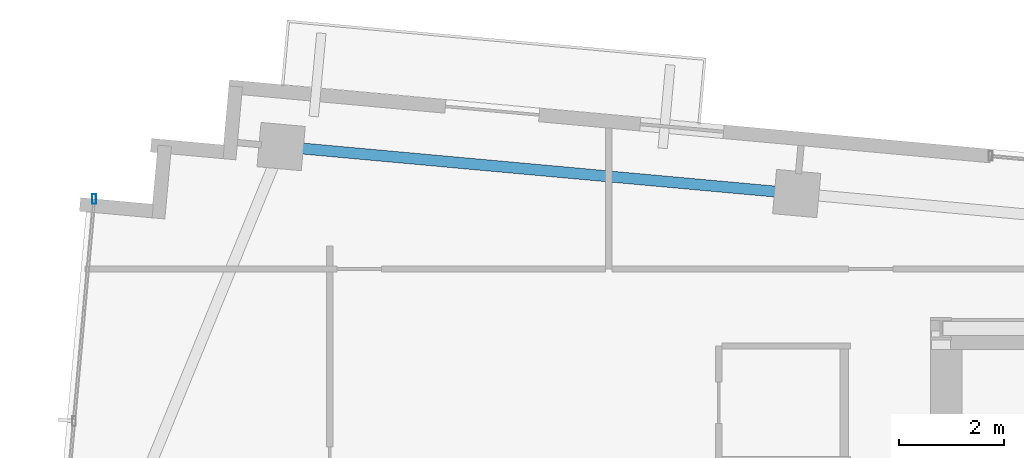
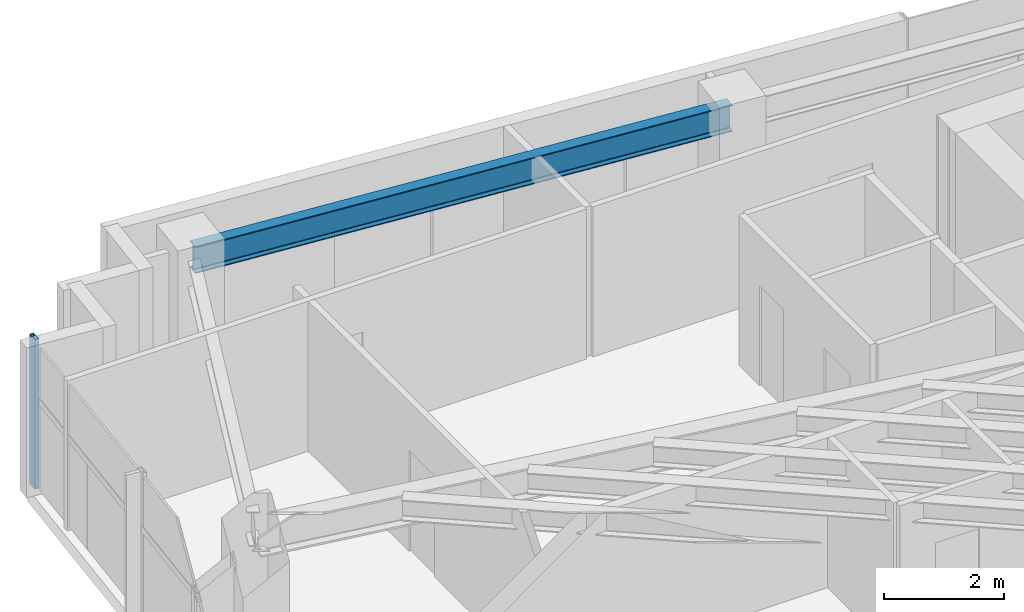
# One storey, part 9 of 22: 1 beam, 1 member, 1 element without a shape of its own.
"""IFC4 building model written with IfcOpenShell, lengths in metres."""

from ifc_helpers import new_model, si_unit, direction, frame, origin, origin_2d, place, context, subcontext, project, spatial, hollow_rectangle, i_section, extrude, source, transform, mapped, material, material_profile, profile_set, type_object, type_shapes, element, aggregate, save


model = new_model("IFC4")

# Units and contexts
model_context = context("Model", 3, precision=1e-05, world=origin(), true_north=direction((0.0, 1.0)))
body_context = subcontext(model_context, "Body", "Model", "MODEL_VIEW")
ifc_project = project(units=[si_unit("LENGTHUNIT", "METRE"), si_unit("AREAUNIT", "SQUARE_METRE"), si_unit("VOLUMEUNIT", "CUBIC_METRE"), si_unit("PLANEANGLEUNIT", "RADIAN"), si_unit("MASSUNIT", "GRAM", prefix="KILO")], contexts=[model_context])

# Site, building, storey
site_placement = place(None, origin())
site = spatial("IfcSite", under=ifc_project, at=site_placement, CompositionType="ELEMENT")
building_placement = place(site_placement, origin())
building = spatial("IfcBuilding", under=site, at=building_placement, Name="Astriad Promenade Condominiums", CompositionType="ELEMENT")
storey_placement = place(building_placement, frame((0.0, 0.0, 223.199951171875)))
storey = spatial("IfcBuildingStorey", under=building, at=storey_placement, Name="L64", CompositionType="ELEMENT", Elevation=223.199951171875)

# Beam
ifc_material_1 = material(Name="Steel ASTM A992 Grade 50", Category="steel")
ifc_material_profile_1 = material_profile(ifc_material_1, i_section(OverallWidth=0.210693359375, OverallDepth=0.53955078125, WebThickness=0.01171875, FlangeThickness=0.018798828125, FilletRadius=0.0166015625, at=origin_2d()), Name="W21X73")
ifc_profile_set_1 = profile_set([ifc_material_profile_1], Name="Steel ASTM A992 Grade 50")
beam_type = type_object("IfcBeamType", Name="STEEL SPANDREL BEAM W21X73", PredefinedType="SPANDREL", material=ifc_profile_set_1)
shared_shape_1 = source(origin(), body_context, "Body", "SweptSolid", [
    extrude(i_section(OverallWidth=0.210693359375, OverallDepth=0.53955078125, WebThickness=0.01171875, FlangeThickness=0.018798828125, FilletRadius=0.0166015625, at=origin_2d()), origin(), (0.0, 0.0, 1.0), 9.820068359375),
])
type_shapes(beam_type, [shared_shape_1])
beam_placement = place(storey_placement, frame((23.6005859375, 26.589111328125, 2.770263671875), z_axis=(-0.995883214993, 0.090645585088, 0.0), x_axis=(-0.090645585088, -0.995883214993, 0.0)))
element("IfcBeam", 1, at=beam_placement, inside=storey, type_object=beam_type, Name="Perimeter Spandrel Beam SP-N1-L64", PredefinedType="SPANDREL", context=body_context, shape_type="MappedRepresentation", body=[
    mapped(shared_shape_1, transform((0.0, 0.0, 0.0), scale=1.0)),
])

# Curtain wall, member
ifc_material_2 = material(Name="Anodised aluminium Black Dark Glass Unitised", Category="aluminium")
curtain_wall_type = type_object("IfcCurtainWallType", Name="CW-B5-DARK", PredefinedType="USERDEFINED", material=ifc_material_2)
curtain_wall_placement = place(storey_placement, origin())
curtain_wall = element("IfcCurtainWall", 2, at=curtain_wall_placement, inside=storey, type_object=curtain_wall_type, Name="CW-L64-W", ObjectType="UNITISED_CURTAIN_WALL", PredefinedType="USERDEFINED")
ifc_material_3 = material(Name="Anodised aluminium 6063-T6 Black", Category="aluminium")
ifc_material_profile_2 = material_profile(ifc_material_3, hollow_rectangle(XDim=0.074951171875, YDim=0.18505859375, WallThickness=0.00439453125, at=origin_2d()), Name="ALU-MUL-75X185")
ifc_profile_set_2 = profile_set([ifc_material_profile_2], Name="Anodised aluminium 6063-T6 Black")
member_type = type_object("IfcMemberType", Name="MUL-ALU-MUL-75X185", PredefinedType="MULLION", material=ifc_profile_set_2)
shared_shape_2 = source(origin(), body_context, "Body", "SweptSolid", [
    extrude(hollow_rectangle(XDim=0.074951171875, YDim=0.18505859375, WallThickness=0.00439453125, at=origin_2d()), origin(), (0.0, 0.0, 1.0), 3.0400390625),
])
type_shapes(member_type, [shared_shape_2])
member_placement = place(storey_placement, frame((10.205810546875, 26.482666015625, 0.0), z_axis=(0.0, 0.0, 1.0), x_axis=(1.0, 0.0, 0.0)))
member = element("IfcMember", 3, at=member_placement, type_object=member_type, Name="CW-L64-W-MUL-03", PredefinedType="MULLION", context=body_context, shape_type="MappedRepresentation", body=[
    mapped(shared_shape_2, transform((0.0, 0.0, 0.0), scale=1.0)),
])
aggregate(curtain_wall, [member])

save(model, "model.ifc")
